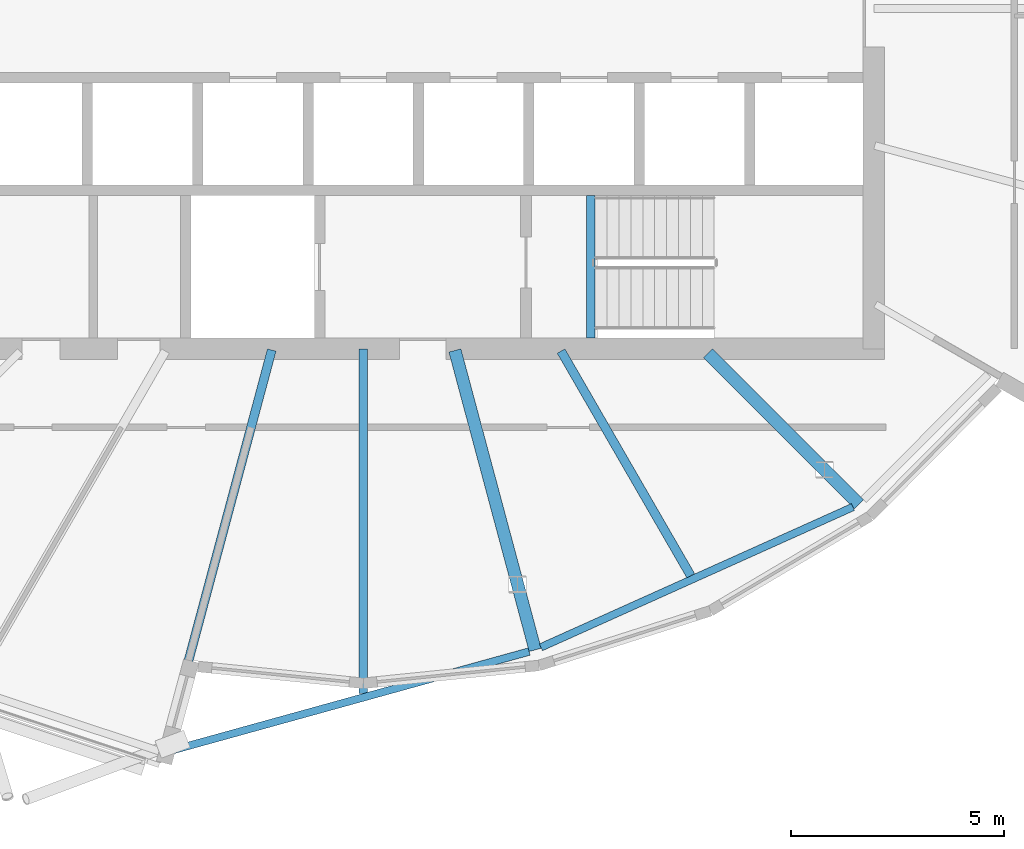
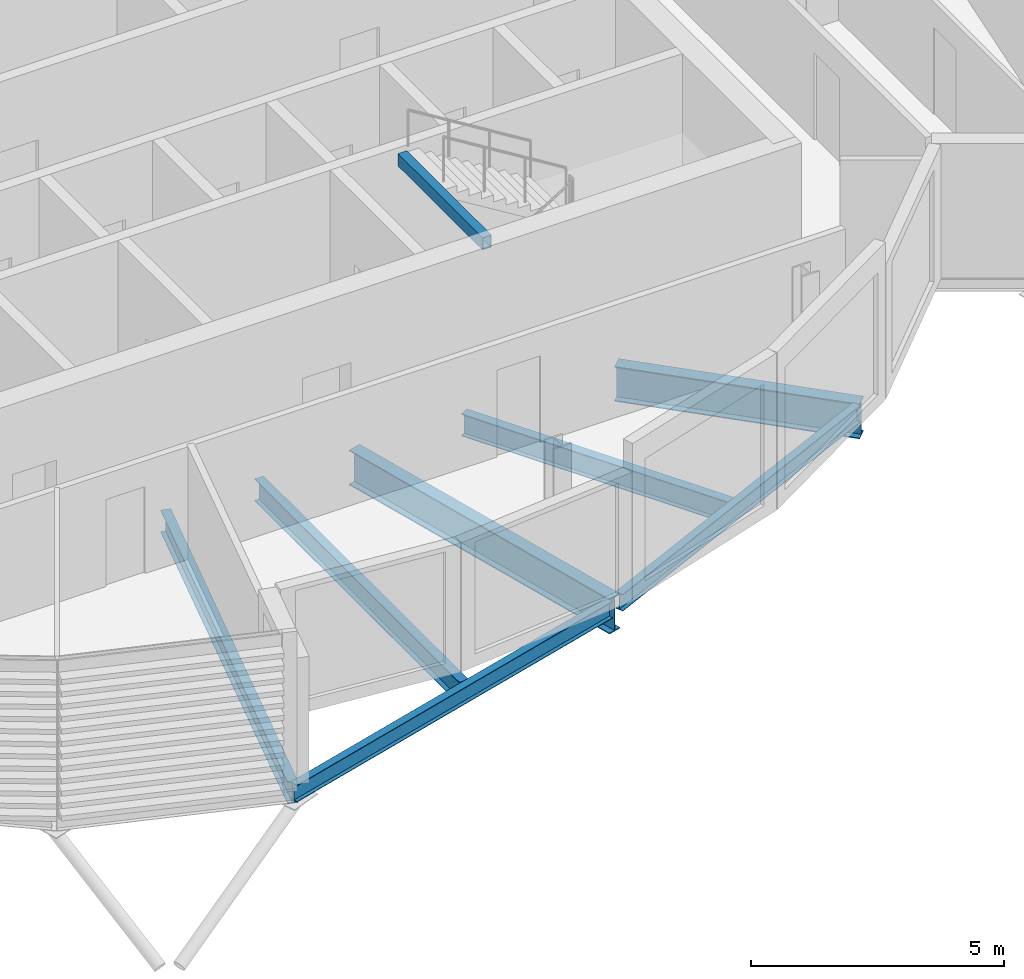
# One storey, part 4 of 33: 8 beams.
"""IFC4 building model written with IfcOpenShell, lengths in metres."""

from ifc_helpers import new_model, si_unit, direction, frame, origin, origin_2d, place, context, subcontext, project, spatial, hollow_rectangle, i_section, extrude, material, material_profile, profile_set, type_object, element, save


model = new_model("IFC4")

# Units and contexts
model_context = context("Model", 3, precision=1e-05, world=origin(), true_north=direction((0.0, 1.0)))
body_context = subcontext(model_context, "Body", "Model", "MODEL_VIEW")
ifc_project = project(units=[si_unit("LENGTHUNIT", "METRE"), si_unit("AREAUNIT", "SQUARE_METRE"), si_unit("VOLUMEUNIT", "CUBIC_METRE"), si_unit("PLANEANGLEUNIT", "RADIAN"), si_unit("MASSUNIT", "GRAM", prefix="KILO")], contexts=[model_context])

# Site, building, storey
site_placement = place(None, origin())
site = spatial("IfcSite", under=ifc_project, at=site_placement, CompositionType="ELEMENT")
building_placement = place(site_placement, origin())
building = spatial("IfcBuilding", under=site, at=building_placement, Name="Rimbun Link Towers", CompositionType="ELEMENT")
storey_placement = place(building_placement, frame((0.0, 0.0, 240.89990234375)))
storey = spatial("IfcBuildingStorey", under=building, at=storey_placement, Name="L59", CompositionType="ELEMENT", Elevation=240.89990234375)

# Beams
ifc_material_1 = material(Name="Steel S355J2", Category="steel")
ifc_material_profile_1 = material_profile(ifc_material_1, hollow_rectangle(XDim=0.199951171875, YDim=0.300048828125, WallThickness=0.011962890625, at=origin_2d()), Name="BOX 300x200x12")
ifc_profile_set_1 = profile_set([ifc_material_profile_1], Name="Steel S355J2")
beam_type_1 = type_object("IfcBeamType", Name="Stair trimmer beam BOX 300x200x12", PredefinedType="BEAM", material=ifc_profile_set_1)
beam_1_placement = place(storey_placement, frame((-26.39990234375, -7.75, 3.510009765625), z_axis=(0.0, 1.0, 0.0), x_axis=(-1.0, 0.0, 0.0)))
element("IfcBeam", 1, at=beam_1_placement, inside=storey, type_object=beam_type_1, Name="L59 ST2 stair beam 1", PredefinedType="BEAM", context=body_context, shape_type="SweptSolid", body=[
    extrude(hollow_rectangle(XDim=0.199951171875, YDim=0.300048828125, WallThickness=0.011962890625, at=origin_2d()), origin(), (0.0, 0.0, 1.0), 3.35009765625),
])
ifc_material_2 = material(Name="Steel S355J2", Category="steel")
ifc_material_profile_2 = material_profile(ifc_material_2, i_section(OverallWidth=0.177978515625, OverallDepth=0.406494140625, WebThickness=0.0078125, FlangeThickness=0.0126953125, at=origin_2d()), Name="UB 406x178x60")
ifc_profile_set_2 = profile_set([ifc_material_profile_2], Name="Steel S355J2")
beam_type_2 = type_object("IfcBeamType", Name="UB 406x178x60", PredefinedType="BEAM", material=ifc_profile_set_2)
beam_2_placement = place(storey_placement, frame((-36.43603515625, -17.491455078125, -0.343017578125), z_axis=(0.96378369226, 0.26668519744, 0.0), x_axis=(-0.26668519744, 0.96378369226, 0.0)))
element("IfcBeam", 2, at=beam_2_placement, inside=storey, type_object=beam_type_2, Name="Edge beam T1 L59 17-19", PredefinedType="BEAM", context=body_context, shape_type="SweptSolid", body=[
    extrude(i_section(OverallWidth=0.177978515625, OverallDepth=0.406494140625, WebThickness=0.0078125, FlangeThickness=0.0126953125, at=origin_2d()), origin(), (0.0, 0.0, 1.0), 8.906494140625),
])
beam_3_placement = place(storey_placement, frame((-27.57421875, -15.015625, -0.343017578125), z_axis=(0.912035086106, 0.410112181862, 0.0), x_axis=(-0.410112181862, 0.912035086106, 0.0)))
element("IfcBeam", 3, at=beam_3_placement, inside=storey, type_object=beam_type_2, Name="Edge beam T1 L59 19-21", PredefinedType="BEAM", context=body_context, shape_type="SweptSolid", body=[
    extrude(i_section(OverallWidth=0.177978515625, OverallDepth=0.406494140625, WebThickness=0.0078125, FlangeThickness=0.0126953125, at=origin_2d()), origin(), (0.0, 0.0, 1.0), 8.041259765625),
])
ifc_material_3 = material(Name="Steel S355J2", Category="steel")
ifc_material_profile_3 = material_profile(ifc_material_3, i_section(OverallWidth=0.209228515625, OverallDepth=0.533203125, WebThickness=0.010009765625, FlangeThickness=0.015625, at=origin_2d()), Name="UB 533x210x92")
ifc_profile_set_3 = profile_set([ifc_material_profile_3], Name="Steel S355J2")
beam_type_3 = type_object("IfcBeamType", Name="UB 533x210x92", PredefinedType="BEAM", material=ifc_profile_set_3)
beam_4_placement = place(storey_placement, frame((-33.901123046875, -8.028076171875, -0.406494140625), z_axis=(-0.258816120567, -0.965926609911, 0.0), x_axis=(0.965926609911, -0.258816120567, 0.0)))
element("IfcBeam", 4, at=beam_4_placement, inside=storey, type_object=beam_type_3, Name="Radial beam T1 L59 17", PredefinedType="BEAM", context=body_context, shape_type="SweptSolid", body=[
    extrude(i_section(OverallWidth=0.209228515625, OverallDepth=0.533203125, WebThickness=0.010009765625, FlangeThickness=0.015625, at=origin_2d()), origin(), (0.0, 0.0, 1.0), 9.70751953125),
])
beam_5_placement = place(storey_placement, frame((-31.75, -8.0009765625, -0.406494140625), z_axis=(0.0, -1.0, 0.0), x_axis=(1.0, 0.0, 0.0)))
element("IfcBeam", 5, at=beam_5_placement, inside=storey, type_object=beam_type_3, Name="Radial beam T1 L59 18", PredefinedType="BEAM", context=body_context, shape_type="SweptSolid", body=[
    extrude(i_section(OverallWidth=0.209228515625, OverallDepth=0.533203125, WebThickness=0.010009765625, FlangeThickness=0.015625, at=origin_2d()), origin(), (0.0, 0.0, 1.0), 8.1005859375),
])
beam_6_placement = place(storey_placement, frame((-27.1005859375, -8.05322265625, -0.406494140625), z_axis=(0.500019392642, -0.866014207148, 0.0), x_axis=(0.866014207148, 0.500019392642, 0.0)))
element("IfcBeam", 6, at=beam_6_placement, inside=storey, type_object=beam_type_3, Name="Radial beam T1 L59 20", PredefinedType="BEAM", context=body_context, shape_type="SweptSolid", body=[
    extrude(i_section(OverallWidth=0.209228515625, OverallDepth=0.533203125, WebThickness=0.010009765625, FlangeThickness=0.015625, at=origin_2d()), origin(), (0.0, 0.0, 1.0), 6.096923828125),
])
ifc_material_4 = material(Name="Steel S355J2", Category="steel")
ifc_material_profile_4 = material_profile(ifc_material_4, i_section(OverallWidth=0.29248046875, OverallDepth=0.8408203125, WebThickness=0.0126953125, FlangeThickness=0.021728515625, at=origin_2d()), Name="UB 838x292x194")
ifc_profile_set_4 = profile_set([ifc_material_profile_4], Name="Steel S355J2")
beam_type_4 = type_object("IfcBeamType", Name="UB 838x292x194", PredefinedType="BEAM", material=ifc_profile_set_4)
beam_7_placement = place(storey_placement, frame((-29.595947265625, -8.038818359375, -0.560302734375), z_axis=(0.258805311019, -0.965929506221, 0.0), x_axis=(0.965929506221, 0.258805311019, 0.0)))
element("IfcBeam", 7, at=beam_7_placement, inside=storey, type_object=beam_type_4, Name="Radial beam T1 L59 19", PredefinedType="BEAM", context=body_context, shape_type="SweptSolid", body=[
    extrude(i_section(OverallWidth=0.29248046875, OverallDepth=0.8408203125, WebThickness=0.0126953125, FlangeThickness=0.021728515625, at=origin_2d()), origin(), (0.0, 0.0, 1.0), 7.286376953125),
])
beam_8_placement = place(storey_placement, frame((-23.64599609375, -8.10400390625, -0.560302734375), z_axis=(0.707106781187, -0.707106781187, 0.0), x_axis=(0.707106781187, 0.707106781187, 0.0)))
element("IfcBeam", 8, at=beam_8_placement, inside=storey, type_object=beam_type_4, Name="Radial beam T1 L59 21", PredefinedType="BEAM", context=body_context, shape_type="SweptSolid", body=[
    extrude(i_section(OverallWidth=0.29248046875, OverallDepth=0.8408203125, WebThickness=0.0126953125, FlangeThickness=0.021728515625, at=origin_2d()), origin(), (0.0, 0.0, 1.0), 5.01953125),
])

save(model, "model.ifc")
